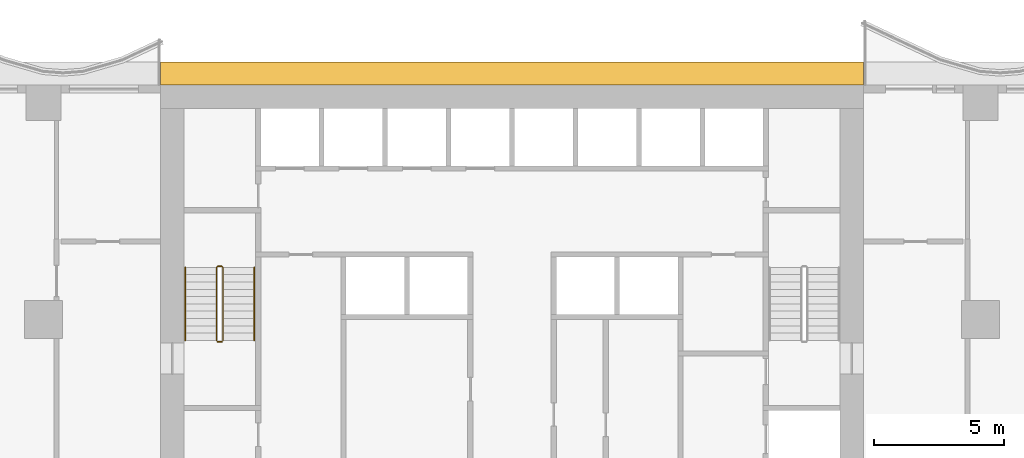
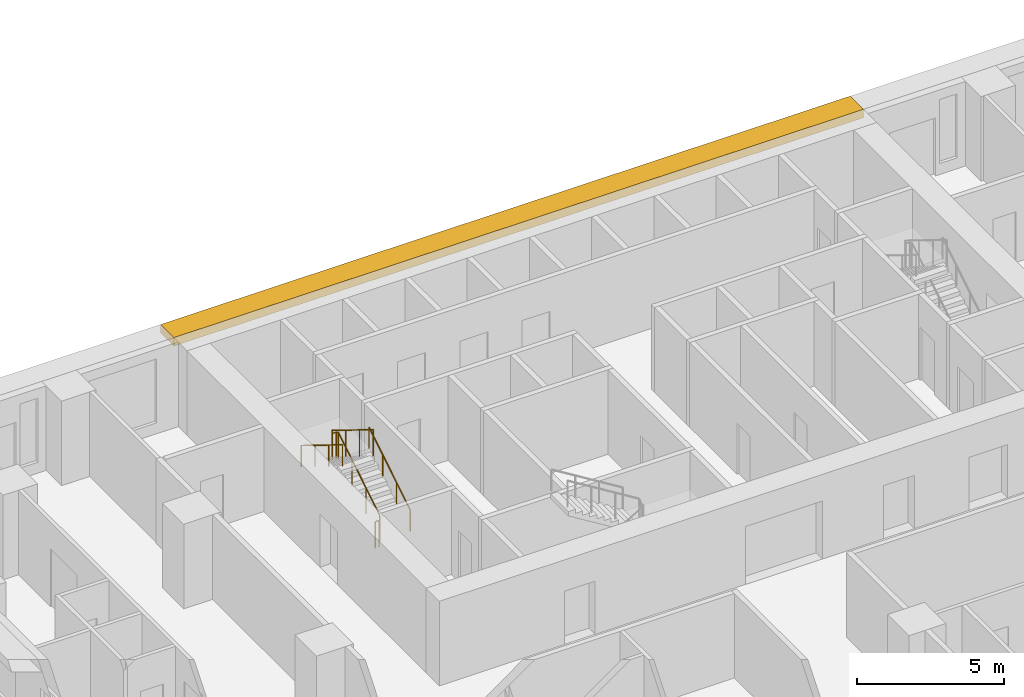
# One storey, part 12 of 14: 4 railings, 1 shading device.
"""IFC4 building model written with IfcOpenShell, lengths in metres."""

from ifc_helpers import new_model, si_unit, direction, frame, origin, origin_2d, place, context, subcontext, project, spatial, polyline, circle, outline, extrude, material, layer, layer_set, type_object, element, save


model = new_model("IFC4")

# Units and contexts
model_context = context("Model", 3, precision=1e-05, world=origin(), true_north=direction((0.0, 1.0)))
body_context = subcontext(model_context, "Body", "Model", "MODEL_VIEW")
ifc_project = project(units=[si_unit("LENGTHUNIT", "METRE"), si_unit("AREAUNIT", "SQUARE_METRE"), si_unit("VOLUMEUNIT", "CUBIC_METRE"), si_unit("PLANEANGLEUNIT", "RADIAN"), si_unit("MASSUNIT", "GRAM", prefix="KILO")], contexts=[model_context])

# Site, building, storey
site_placement = place(None, origin())
site = spatial("IfcSite", under=ifc_project, at=site_placement, CompositionType="ELEMENT")
building_placement = place(site_placement, origin())
building = spatial("IfcBuilding", under=site, at=building_placement, Name="Orbiselva Terraces", CompositionType="ELEMENT")
storey_placement = place(building_placement, frame((0.0, 0.0, 60.6)))
storey = spatial("IfcBuildingStorey", under=building, at=storey_placement, Name="L15", CompositionType="ELEMENT", Elevation=60.6)

# Railings
ifc_material_1 = material(Name="Stainless steel", Category="steel")
railing_type_1 = type_object("IfcRailingType", Name="CORE-GUARD-1100", PredefinedType="GUARDRAIL", material=ifc_material_1)
railing_1_placement = place(storey_placement, frame((-11.1, 12.7, 0.172727)))
element("IfcRailing", 1, at=railing_1_placement, inside=storey, type_object=railing_type_1, Name="L15 S1 stair guard 1", PredefinedType="GUARDRAIL", context=body_context, shape_type="SweptSolid", body=[
    extrude(circle(Radius=0.024, at=origin_2d()), frame((0.0, 0.0, 1.081), z_axis=(0.0, 0.851088519012, 0.52502222125), x_axis=(-1.0, 0.0, 0.0)), (0.0, 0.0, 1.0), 3.289905),
    extrude(circle(Radius=0.024, at=origin_2d()), frame((0.0, 2.8, 2.808273), z_axis=(-0.707106781187, 0.707106781187, 0.0), x_axis=(-0.707106781187, -0.707106781187, 0.0)), (0.0, 0.0, 1.0), 0.070711),
    extrude(circle(Radius=0.024, at=origin_2d()), frame((-0.05, 2.85, 2.808273), z_axis=(-1.0, 0.0, 0.0), x_axis=(0.0, -1.0, 0.0)), (0.0, 0.0, 1.0), 0.15),
    extrude(circle(Radius=0.024, at=origin_2d()), frame((-0.2, 2.85, 2.808273), z_axis=(-0.267894925557, -0.267894925557, 0.925453736133), x_axis=(0.707106781187, -0.707106781187, 0.0)), (0.0, 0.0, 1.0), 0.18664),
    extrude(circle(Radius=0.024, at=origin_2d()), frame((-0.25, 2.8, 2.981), z_axis=(0.0, -0.851088519012, 0.52502222125), x_axis=(1.0, 0.0, 0.0)), (0.0, 0.0, 1.0), 3.289905),
    extrude(circle(Radius=0.021, at=origin_2d()), origin(), (0.0, 0.0, 1.0), 1.057),
    extrude(circle(Radius=0.021, at=origin_2d()), frame((0.0, 0.933333, 0.575758)), (0.0, 0.0, 1.0), 1.057),
    extrude(circle(Radius=0.021, at=origin_2d()), frame((0.0, 1.866667, 1.151515)), (0.0, 0.0, 1.0), 1.057),
    extrude(circle(Radius=0.021, at=origin_2d()), frame((0.0, 2.8, 1.727273)), (0.0, 0.0, 1.0), 1.057),
    extrude(circle(Radius=0.021, at=origin_2d()), frame((-0.05, 2.85, 1.727273)), (0.0, 0.0, 1.0), 1.057),
    extrude(circle(Radius=0.021, at=origin_2d()), frame((-0.2, 2.85, 1.727273)), (0.0, 0.0, 1.0), 1.057),
    extrude(circle(Radius=0.021, at=origin_2d()), frame((-0.25, 2.8, 1.9)), (0.0, 0.0, 1.0), 1.057),
    extrude(circle(Radius=0.021, at=origin_2d()), frame((-0.25, 1.866667, 2.475758)), (0.0, 0.0, 1.0), 1.057),
    extrude(circle(Radius=0.021, at=origin_2d()), frame((-0.25, 0.933333, 3.051515)), (0.0, 0.0, 1.0), 1.057),
    extrude(circle(Radius=0.021, at=origin_2d()), frame((-0.25, 0.0, 3.627273)), (0.0, 0.0, 1.0), 1.057),
])
railing_2_placement = place(storey_placement, frame((-11.15, 12.65, 0.0)))
element("IfcRailing", 2, at=railing_2_placement, inside=storey, type_object=railing_type_1, Name="L15 S1 stair guard 2", PredefinedType="GUARDRAIL", context=body_context, shape_type="SweptSolid", body=[
    extrude(circle(Radius=0.024, at=origin_2d()), frame((0.0, 0.0, 1.081), z_axis=(-1.0, 0.0, 0.0), x_axis=(0.0, -1.0, 0.0)), (0.0, 0.0, 1.0), 0.15),
    extrude(circle(Radius=0.021, at=origin_2d()), origin(), (0.0, 0.0, 1.0), 1.057),
    extrude(circle(Radius=0.021, at=origin_2d()), frame((-0.15, 0.0, 0.0)), (0.0, 0.0, 1.0), 1.057),
])
railing_type_2 = type_object("IfcRailingType", Name="CORE-HANDRAIL-900", PredefinedType="HANDRAIL", material=ifc_material_1)
railing_3_placement = place(storey_placement, frame((-9.9, 12.7, 0.172727)))
element("IfcRailing", 3, at=railing_3_placement, inside=storey, type_object=railing_type_2, Name="L15 S1 stair handrail 1", PredefinedType="HANDRAIL", context=body_context, shape_type="SweptSolid", body=[
    extrude(circle(Radius=0.024, at=origin_2d()), frame((0.0, 0.0, 0.876), z_axis=(0.0, 0.851088519012, 0.52502222125), x_axis=(-1.0, 0.0, 0.0)), (0.0, 0.0, 1.0), 3.289905),
    extrude(circle(Radius=0.021, at=origin_2d()), origin(), (0.0, 0.0, 1.0), 0.852),
    extrude(circle(Radius=0.021, at=origin_2d()), frame((0.0, 0.933333, 0.575758)), (0.0, 0.0, 1.0), 0.852),
    extrude(circle(Radius=0.021, at=origin_2d()), frame((0.0, 1.866667, 1.151515)), (0.0, 0.0, 1.0), 0.852),
    extrude(circle(Radius=0.021, at=origin_2d()), frame((0.0, 2.8, 1.727273)), (0.0, 0.0, 1.0), 0.852),
])
railing_4_placement = place(storey_placement, frame((-12.55, 15.5, 2.072727)))
element("IfcRailing", 4, at=railing_4_placement, inside=storey, type_object=railing_type_2, Name="L15 S1 stair handrail 2", PredefinedType="HANDRAIL", context=body_context, shape_type="SweptSolid", body=[
    extrude(circle(Radius=0.024, at=origin_2d()), frame((0.0, 0.0, 0.876), z_axis=(0.0, -0.851088519012, 0.52502222125), x_axis=(1.0, 0.0, 0.0)), (0.0, 0.0, 1.0), 3.289905),
    extrude(circle(Radius=0.021, at=origin_2d()), origin(), (0.0, 0.0, 1.0), 0.852),
    extrude(circle(Radius=0.021, at=origin_2d()), frame((0.0, -0.933333, 0.575758)), (0.0, 0.0, 1.0), 0.852),
    extrude(circle(Radius=0.021, at=origin_2d()), frame((0.0, -1.866667, 1.151515)), (0.0, 0.0, 1.0), 0.852),
    extrude(circle(Radius=0.021, at=origin_2d()), frame((0.0, -2.8, 1.727273)), (0.0, 0.0, 1.0), 0.852),
])

# Shading device
ifc_material_2 = material(Name="Terracotta baguette sunshade", Category="masonry")
ifc_layer = layer(ifc_material_2, 0.35)
ifc_layer_set = layer_set([ifc_layer], Name="Terracotta baguette sunshade")
shading_device_type = type_object("IfcShadingDeviceType", Name="ENV-SUNSHADE-900x350", PredefinedType="USERDEFINED", material=ifc_layer_set)
shading_device_placement = place(storey_placement, frame((0.0, 0.0, 3.15)))
element("IfcShadingDevice", 5, at=shading_device_placement, inside=storey, type_object=shading_device_type, Name="Sunshade band L15 CORE NORTH", ObjectType="SUNSHADE", PredefinedType="USERDEFINED", context=body_context, shape_type="SweptSolid", body=[
    extrude(outline(polyline([(13.5, 23.4), (-13.5, 23.4), (-13.5, 22.5), (13.5, 22.5), (13.5, 23.4)])), origin(), (0.0, 0.0, 1.0), 0.35),
])

save(model, "model.ifc")
